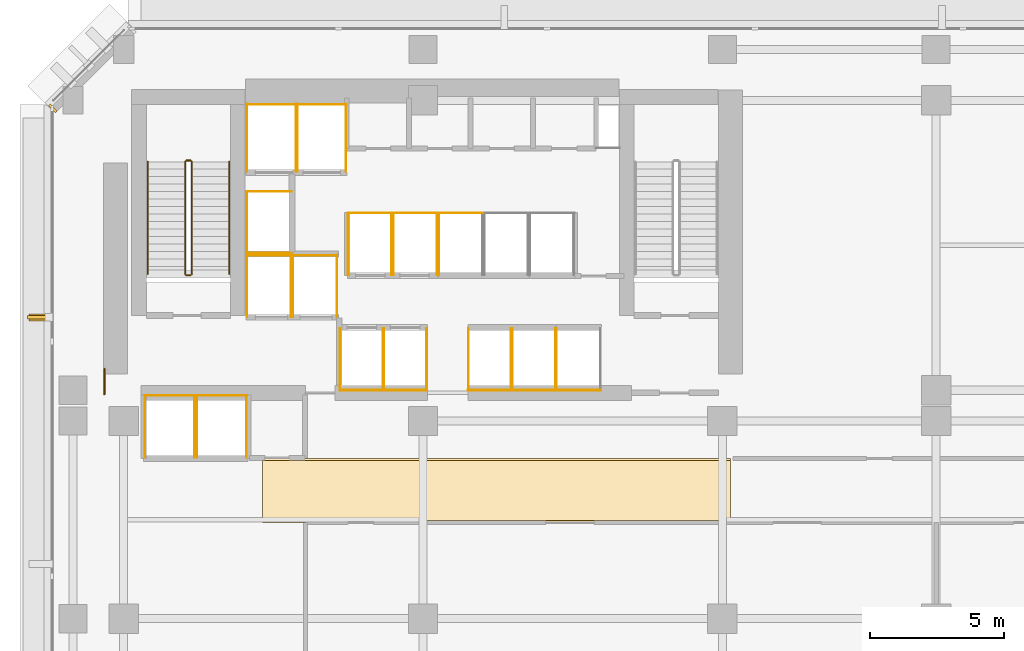
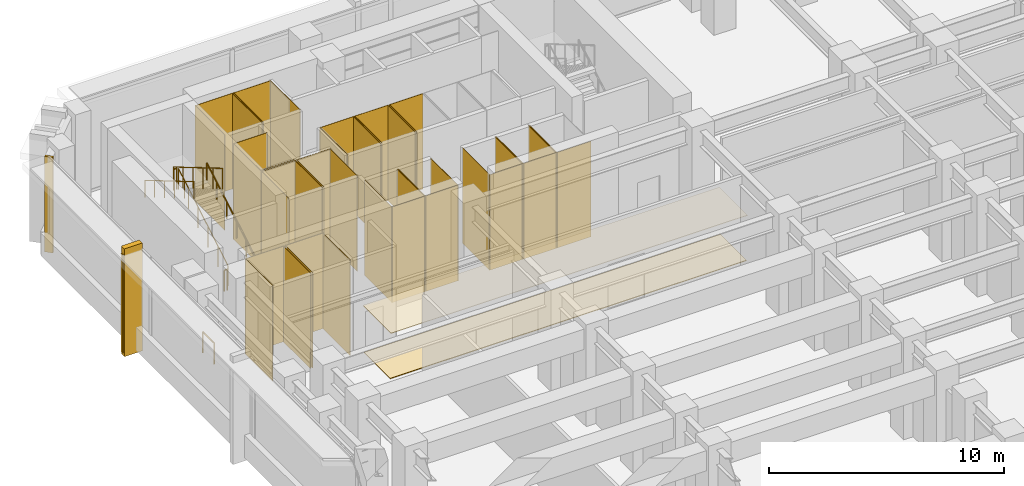
# One storey, part 17 of 20: 47 coverings, 7 railings, 1 shading device.
"""IFC4 building model written with IfcOpenShell, lengths in metres."""

from ifc_helpers import new_model, si_unit, direction, frame, origin, origin_2d, place, context, subcontext, project, spatial, polyline, rectangle, circle, outline, extrude, material, layer, layer_set, material_profile, profile_set, type_object, element, save


model = new_model("IFC4")

# Units and contexts
model_context = context("Model", 3, precision=1e-05, world=origin(), true_north=direction((0.0, 1.0)))
body_context = subcontext(model_context, "Body", "Model", "MODEL_VIEW")
ifc_project = project(units=[si_unit("LENGTHUNIT", "METRE"), si_unit("AREAUNIT", "SQUARE_METRE"), si_unit("VOLUMEUNIT", "CUBIC_METRE"), si_unit("PLANEANGLEUNIT", "RADIAN"), si_unit("MASSUNIT", "GRAM", prefix="KILO")], contexts=[model_context])

# Site, building, storey
site_placement = place(None, origin())
site = spatial("IfcSite", under=ifc_project, at=site_placement, CompositionType="ELEMENT")
building_placement = place(site_placement, origin())
building = spatial("IfcBuilding", under=site, at=building_placement, Name="Kefirva Bronze Tower", CompositionType="ELEMENT")
storey_placement = place(building_placement, frame((0.0, 0.0, 5.93994140625)))
storey = spatial("IfcBuildingStorey", under=building, at=storey_placement, Name="L01", CompositionType="ELEMENT", Elevation=5.93994140625)

# Coverings
ifc_material_1 = material(Name="Acoustic mineral tile")
ifc_layer_1 = layer(ifc_material_1, 0.02490234375, Name="Acoustic mineral tile")
ifc_layer_set_1 = layer_set([ifc_layer_1], Name="Acoustic mineral tile")
covering_type_1 = type_object("IfcCoveringType", Name="Acoustic Mineral Suspended Ceiling 25mm", PredefinedType="CEILING", material=ifc_layer_set_1)
covering_1_placement = place(storey_placement, frame((0.0, 0.0, 2.400146484375)))
element("IfcCovering", 1, at=covering_1_placement, inside=storey, type_object=covering_type_1, Name="L01 Corridor Acoustic Ceiling", PredefinedType="CEILING", context=body_context, shape_type="SweptSolid", body=[
    extrude(outline(polyline([(6.0, 29.39990234375), (23.5, 29.39990234375), (23.5, 31.800048828125), (6.0, 31.800048828125), (6.0, 29.39990234375)])), origin(), (0.0, 0.0, 1.0), 0.02490234375),
])
ifc_material_2 = material(Name="Bronze anodised aluminium", Category="aluminium")
ifc_layer_2 = layer(ifc_material_2, 0.02001953125, Name="Bronze anodised aluminium")
ifc_layer_set_2 = layer_set([ifc_layer_2], Name="Bronze anodised aluminium")
covering_type_2 = type_object("IfcCoveringType", Name="Anodised Bronze Spandrel Cladding 20mm", PredefinedType="CLADDING", material=ifc_layer_set_2)
covering_2_placement = place(storey_placement, frame((-1.847900390625, 44.8974609375, 0.0), z_axis=(0.0, 0.0, 1.0), x_axis=(-0.707106781187, -0.707106781187, 0.0)))
element("IfcCovering", 2, at=covering_2_placement, inside=storey, type_object=covering_type_2, Name="L01 Facade Joint Closure Panel 6E", PredefinedType="CLADDING", context=body_context, shape_type="SweptSolid", body=[
    extrude(rectangle(XDim=0.10009765625, YDim=0.360107421875, at=origin_2d()), origin(), (0.0, 0.0, 1.0), 4.9599609375),
])
covering_3_placement = place(storey_placement, origin())
element("IfcCovering", 3, at=covering_3_placement, inside=storey, type_object=covering_type_2, Name="L01 Lift FF1 Hoistway Liner N", PredefinedType="CLADDING", context=body_context, shape_type="SweptSolid", body=[
    extrude(outline(polyline([(5.39990234375, 39.389892578125), (7.080078125, 39.389892578125), (7.080078125, 39.409912109375), (5.39990234375, 39.409912109375), (5.39990234375, 39.389892578125)])), origin(), (0.0, 0.0, 1.0), 4.9599609375),
])
covering_4_placement = place(storey_placement, origin())
element("IfcCovering", 4, at=covering_4_placement, inside=storey, type_object=covering_type_2, Name="L01 Lift FF1 Hoistway Liner W", PredefinedType="CLADDING", context=body_context, shape_type="SweptSolid", body=[
    extrude(outline(polyline([(5.409912109375, 37.080078125), (5.429931640625, 37.080078125), (5.429931640625, 39.419921875), (5.409912109375, 39.419921875), (5.409912109375, 37.080078125)])), origin(), (0.0, 0.0, 1.0), 4.9599609375),
])
covering_5_placement = place(storey_placement, origin())
element("IfcCovering", 5, at=covering_5_placement, inside=storey, type_object=covering_type_2, Name="L01 Lift FF1 Hoistway Liner E", PredefinedType="CLADDING", context=body_context, shape_type="SweptSolid", body=[
    extrude(outline(polyline([(7.050048828125, 37.080078125), (7.070068359375, 37.080078125), (7.070068359375, 39.419921875), (7.050048828125, 39.419921875), (7.050048828125, 37.080078125)])), origin(), (0.0, 0.0, 1.0), 4.9599609375),
])
covering_6_placement = place(storey_placement, origin())
element("IfcCovering", 6, at=covering_6_placement, inside=storey, type_object=covering_type_2, Name="L01 Lift FF2 Hoistway Liner N", PredefinedType="CLADDING", context=body_context, shape_type="SweptSolid", body=[
    extrude(outline(polyline([(7.1201171875, 39.389892578125), (8.800048828125, 39.389892578125), (8.800048828125, 39.409912109375), (7.1201171875, 39.409912109375), (7.1201171875, 39.389892578125)])), origin(), (0.0, 0.0, 1.0), 4.9599609375),
])
covering_7_placement = place(storey_placement, origin())
element("IfcCovering", 7, at=covering_7_placement, inside=storey, type_object=covering_type_2, Name="L01 Lift FF2 Hoistway Liner W", PredefinedType="CLADDING", context=body_context, shape_type="SweptSolid", body=[
    extrude(outline(polyline([(7.1298828125, 37.080078125), (7.14990234375, 37.080078125), (7.14990234375, 39.419921875), (7.1298828125, 39.419921875), (7.1298828125, 37.080078125)])), origin(), (0.0, 0.0, 1.0), 4.9599609375),
])
covering_8_placement = place(storey_placement, origin())
element("IfcCovering", 8, at=covering_8_placement, inside=storey, type_object=covering_type_2, Name="L01 Lift FF2 Hoistway Liner E", PredefinedType="CLADDING", context=body_context, shape_type="SweptSolid", body=[
    extrude(outline(polyline([(8.77001953125, 37.080078125), (8.7900390625, 37.080078125), (8.7900390625, 39.419921875), (8.77001953125, 39.419921875), (8.77001953125, 37.080078125)])), origin(), (0.0, 0.0, 1.0), 4.9599609375),
])
covering_9_placement = place(storey_placement, origin())
element("IfcCovering", 9, at=covering_9_placement, inside=storey, type_object=covering_type_2, Name="L01 Lift SV1 Hoistway Liner N", PredefinedType="CLADDING", context=body_context, shape_type="SweptSolid", body=[
    extrude(outline(polyline([(5.39990234375, 45.0400390625), (7.260009765625, 45.0400390625), (7.260009765625, 45.06005859375), (5.39990234375, 45.06005859375), (5.39990234375, 45.0400390625)])), origin(), (0.0, 0.0, 1.0), 4.9599609375),
])
covering_10_placement = place(storey_placement, origin())
element("IfcCovering", 10, at=covering_10_placement, inside=storey, type_object=covering_type_2, Name="L01 Lift SV1 Hoistway Liner W", PredefinedType="CLADDING", context=body_context, shape_type="SweptSolid", body=[
    extrude(outline(polyline([(5.409912109375, 42.530029296875), (5.429931640625, 42.530029296875), (5.429931640625, 45.070068359375), (5.409912109375, 45.070068359375), (5.409912109375, 42.530029296875)])), origin(), (0.0, 0.0, 1.0), 4.9599609375),
])
covering_11_placement = place(storey_placement, origin())
element("IfcCovering", 11, at=covering_11_placement, inside=storey, type_object=covering_type_2, Name="L01 Lift SV1 Hoistway Liner E", PredefinedType="CLADDING", context=body_context, shape_type="SweptSolid", body=[
    extrude(outline(polyline([(7.22998046875, 42.530029296875), (7.25, 42.530029296875), (7.25, 45.070068359375), (7.22998046875, 45.070068359375), (7.22998046875, 42.530029296875)])), origin(), (0.0, 0.0, 1.0), 4.9599609375),
])
covering_12_placement = place(storey_placement, origin())
element("IfcCovering", 12, at=covering_12_placement, inside=storey, type_object=covering_type_2, Name="L01 Lift SV2 Hoistway Liner N", PredefinedType="CLADDING", context=body_context, shape_type="SweptSolid", body=[
    extrude(outline(polyline([(7.280029296875, 45.0400390625), (9.139892578125, 45.0400390625), (9.139892578125, 45.06005859375), (7.280029296875, 45.06005859375), (7.280029296875, 45.0400390625)])), origin(), (0.0, 0.0, 1.0), 4.9599609375),
])
covering_13_placement = place(storey_placement, origin())
element("IfcCovering", 13, at=covering_13_placement, inside=storey, type_object=covering_type_2, Name="L01 Lift SV2 Hoistway Liner W", PredefinedType="CLADDING", context=body_context, shape_type="SweptSolid", body=[
    extrude(outline(polyline([(7.2900390625, 42.530029296875), (7.31005859375, 42.530029296875), (7.31005859375, 45.070068359375), (7.2900390625, 45.070068359375), (7.2900390625, 42.530029296875)])), origin(), (0.0, 0.0, 1.0), 4.9599609375),
])
covering_14_placement = place(storey_placement, origin())
element("IfcCovering", 14, at=covering_14_placement, inside=storey, type_object=covering_type_2, Name="L01 Lift SV2 Hoistway Liner E", PredefinedType="CLADDING", context=body_context, shape_type="SweptSolid", body=[
    extrude(outline(polyline([(9.110107421875, 42.530029296875), (9.1298828125, 42.530029296875), (9.1298828125, 45.070068359375), (9.110107421875, 45.070068359375), (9.110107421875, 42.530029296875)])), origin(), (0.0, 0.0, 1.0), 4.9599609375),
])
covering_15_placement = place(storey_placement, origin())
element("IfcCovering", 15, at=covering_15_placement, inside=storey, type_object=covering_type_2, Name="L01 Lift OB1 Hoistway Liner N", PredefinedType="CLADDING", context=body_context, shape_type="SweptSolid", body=[
    extrude(outline(polyline([(1.580078125, 34.139892578125), (3.469970703125, 34.139892578125), (3.469970703125, 34.159912109375), (1.580078125, 34.159912109375), (1.580078125, 34.139892578125)])), origin(), (0.0, 0.0, 1.0), 4.9599609375),
])
covering_16_placement = place(storey_placement, origin())
element("IfcCovering", 16, at=covering_16_placement, inside=storey, type_object=covering_type_2, Name="L01 Lift OB1 Hoistway Liner W", PredefinedType="CLADDING", context=body_context, shape_type="SweptSolid", body=[
    extrude(outline(polyline([(1.590087890625, 31.830078125), (1.610107421875, 31.830078125), (1.610107421875, 34.169921875), (1.590087890625, 34.169921875), (1.590087890625, 31.830078125)])), origin(), (0.0, 0.0, 1.0), 4.9599609375),
])
covering_17_placement = place(storey_placement, origin())
element("IfcCovering", 17, at=covering_17_placement, inside=storey, type_object=covering_type_2, Name="L01 Lift OB1 Hoistway Liner E", PredefinedType="CLADDING", context=body_context, shape_type="SweptSolid", body=[
    extrude(outline(polyline([(3.43994140625, 31.830078125), (3.4599609375, 31.830078125), (3.4599609375, 34.169921875), (3.43994140625, 34.169921875), (3.43994140625, 31.830078125)])), origin(), (0.0, 0.0, 1.0), 4.9599609375),
])
covering_18_placement = place(storey_placement, origin())
element("IfcCovering", 18, at=covering_18_placement, inside=storey, type_object=covering_type_2, Name="L01 Lift OB2 Hoistway Liner N", PredefinedType="CLADDING", context=body_context, shape_type="SweptSolid", body=[
    extrude(outline(polyline([(3.530029296875, 34.139892578125), (5.419921875, 34.139892578125), (5.419921875, 34.159912109375), (3.530029296875, 34.159912109375), (3.530029296875, 34.139892578125)])), origin(), (0.0, 0.0, 1.0), 4.9599609375),
])
covering_19_placement = place(storey_placement, origin())
element("IfcCovering", 19, at=covering_19_placement, inside=storey, type_object=covering_type_2, Name="L01 Lift OB2 Hoistway Liner W", PredefinedType="CLADDING", context=body_context, shape_type="SweptSolid", body=[
    extrude(outline(polyline([(3.5400390625, 31.830078125), (3.56005859375, 31.830078125), (3.56005859375, 34.169921875), (3.5400390625, 34.169921875), (3.5400390625, 31.830078125)])), origin(), (0.0, 0.0, 1.0), 4.9599609375),
])
covering_20_placement = place(storey_placement, origin())
element("IfcCovering", 20, at=covering_20_placement, inside=storey, type_object=covering_type_2, Name="L01 Lift OB2 Hoistway Liner E", PredefinedType="CLADDING", context=body_context, shape_type="SweptSolid", body=[
    extrude(outline(polyline([(5.389892578125, 31.830078125), (5.409912109375, 31.830078125), (5.409912109375, 34.169921875), (5.389892578125, 34.169921875), (5.389892578125, 31.830078125)])), origin(), (0.0, 0.0, 1.0), 4.9599609375),
])
covering_21_placement = place(storey_placement, origin())
element("IfcCovering", 21, at=covering_21_placement, inside=storey, type_object=covering_type_2, Name="L01 Lift LP1 Hoistway Liner S", PredefinedType="CLADDING", context=body_context, shape_type="SweptSolid", body=[
    extrude(outline(polyline([(8.8798828125, 34.340087890625), (10.52001953125, 34.340087890625), (10.52001953125, 34.360107421875), (8.8798828125, 34.360107421875), (8.8798828125, 34.340087890625)])), origin(), (0.0, 0.0, 1.0), 4.9599609375),
])
covering_22_placement = place(storey_placement, origin())
element("IfcCovering", 22, at=covering_22_placement, inside=storey, type_object=covering_type_2, Name="L01 Lift LP1 Hoistway Liner W", PredefinedType="CLADDING", context=body_context, shape_type="SweptSolid", body=[
    extrude(outline(polyline([(8.889892578125, 34.330078125), (8.909912109375, 34.330078125), (8.909912109375, 36.669921875), (8.889892578125, 36.669921875), (8.889892578125, 34.330078125)])), origin(), (0.0, 0.0, 1.0), 4.9599609375),
])
covering_23_placement = place(storey_placement, origin())
element("IfcCovering", 23, at=covering_23_placement, inside=storey, type_object=covering_type_2, Name="L01 Lift LP1 Hoistway Liner E", PredefinedType="CLADDING", context=body_context, shape_type="SweptSolid", body=[
    extrude(outline(polyline([(10.489990234375, 34.330078125), (10.510009765625, 34.330078125), (10.510009765625, 36.669921875), (10.489990234375, 36.669921875), (10.489990234375, 34.330078125)])), origin(), (0.0, 0.0, 1.0), 4.9599609375),
])
covering_24_placement = place(storey_placement, origin())
element("IfcCovering", 24, at=covering_24_placement, inside=storey, type_object=covering_type_2, Name="L01 Lift LP2 Hoistway Liner S", PredefinedType="CLADDING", context=body_context, shape_type="SweptSolid", body=[
    extrude(outline(polyline([(10.52001953125, 34.340087890625), (12.159912109375, 34.340087890625), (12.159912109375, 34.360107421875), (10.52001953125, 34.360107421875), (10.52001953125, 34.340087890625)])), origin(), (0.0, 0.0, 1.0), 4.9599609375),
])
covering_25_placement = place(storey_placement, origin())
element("IfcCovering", 25, at=covering_25_placement, inside=storey, type_object=covering_type_2, Name="L01 Lift LP2 Hoistway Liner W", PredefinedType="CLADDING", context=body_context, shape_type="SweptSolid", body=[
    extrude(outline(polyline([(10.530029296875, 34.330078125), (10.550048828125, 34.330078125), (10.550048828125, 36.669921875), (10.530029296875, 36.669921875), (10.530029296875, 34.330078125)])), origin(), (0.0, 0.0, 1.0), 4.9599609375),
])
covering_26_placement = place(storey_placement, origin())
element("IfcCovering", 26, at=covering_26_placement, inside=storey, type_object=covering_type_2, Name="L01 Lift LP2 Hoistway Liner E", PredefinedType="CLADDING", context=body_context, shape_type="SweptSolid", body=[
    extrude(outline(polyline([(12.1298828125, 34.330078125), (12.14990234375, 34.330078125), (12.14990234375, 36.669921875), (12.1298828125, 36.669921875), (12.1298828125, 34.330078125)])), origin(), (0.0, 0.0, 1.0), 4.9599609375),
])
covering_27_placement = place(storey_placement, origin())
element("IfcCovering", 27, at=covering_27_placement, inside=storey, type_object=covering_type_2, Name="L01 Lift LP3 Hoistway Liner N", PredefinedType="CLADDING", context=body_context, shape_type="SweptSolid", body=[
    extrude(outline(polyline([(9.179931640625, 40.969970703125), (10.85009765625, 40.969970703125), (10.85009765625, 40.989990234375), (9.179931640625, 40.989990234375), (9.179931640625, 40.969970703125)])), origin(), (0.0, 0.0, 1.0), 4.9599609375),
])
covering_28_placement = place(storey_placement, origin())
element("IfcCovering", 28, at=covering_28_placement, inside=storey, type_object=covering_type_2, Name="L01 Lift LP3 Hoistway Liner W", PredefinedType="CLADDING", context=body_context, shape_type="SweptSolid", body=[
    extrude(outline(polyline([(9.18994140625, 38.659912109375), (9.2099609375, 38.659912109375), (9.2099609375, 41.0), (9.18994140625, 41.0), (9.18994140625, 38.659912109375)])), origin(), (0.0, 0.0, 1.0), 4.9599609375),
])
covering_29_placement = place(storey_placement, origin())
element("IfcCovering", 29, at=covering_29_placement, inside=storey, type_object=covering_type_2, Name="L01 Lift LP3 Hoistway Liner E", PredefinedType="CLADDING", context=body_context, shape_type="SweptSolid", body=[
    extrude(outline(polyline([(10.820068359375, 38.659912109375), (10.840087890625, 38.659912109375), (10.840087890625, 41.0), (10.820068359375, 41.0), (10.820068359375, 38.659912109375)])), origin(), (0.0, 0.0, 1.0), 4.9599609375),
])
covering_30_placement = place(storey_placement, origin())
element("IfcCovering", 30, at=covering_30_placement, inside=storey, type_object=covering_type_2, Name="L01 Lift LP4 Hoistway Liner N", PredefinedType="CLADDING", context=body_context, shape_type="SweptSolid", body=[
    extrude(outline(polyline([(10.8798828125, 40.969970703125), (12.550048828125, 40.969970703125), (12.550048828125, 40.989990234375), (10.8798828125, 40.989990234375), (10.8798828125, 40.969970703125)])), origin(), (0.0, 0.0, 1.0), 4.9599609375),
])
covering_31_placement = place(storey_placement, origin())
element("IfcCovering", 31, at=covering_31_placement, inside=storey, type_object=covering_type_2, Name="L01 Lift LP4 Hoistway Liner W", PredefinedType="CLADDING", context=body_context, shape_type="SweptSolid", body=[
    extrude(outline(polyline([(10.889892578125, 38.659912109375), (10.909912109375, 38.659912109375), (10.909912109375, 41.0), (10.889892578125, 41.0), (10.889892578125, 38.659912109375)])), origin(), (0.0, 0.0, 1.0), 4.9599609375),
])
covering_32_placement = place(storey_placement, origin())
element("IfcCovering", 32, at=covering_32_placement, inside=storey, type_object=covering_type_2, Name="L01 Lift LP4 Hoistway Liner E", PredefinedType="CLADDING", context=body_context, shape_type="SweptSolid", body=[
    extrude(outline(polyline([(12.52001953125, 38.659912109375), (12.5400390625, 38.659912109375), (12.5400390625, 41.0), (12.52001953125, 41.0), (12.52001953125, 38.659912109375)])), origin(), (0.0, 0.0, 1.0), 4.9599609375),
])
covering_33_placement = place(storey_placement, origin())
element("IfcCovering", 33, at=covering_33_placement, inside=storey, type_object=covering_type_2, Name="L01 Lift MP1 Hoistway Liner S", PredefinedType="CLADDING", context=body_context, shape_type="SweptSolid", body=[
    extrude(outline(polyline([(13.679931640625, 34.340087890625), (15.320068359375, 34.340087890625), (15.320068359375, 34.360107421875), (13.679931640625, 34.360107421875), (13.679931640625, 34.340087890625)])), origin(), (0.0, 0.0, 1.0), 4.9599609375),
])
covering_34_placement = place(storey_placement, origin())
element("IfcCovering", 34, at=covering_34_placement, inside=storey, type_object=covering_type_2, Name="L01 Lift MP1 Hoistway Liner W", PredefinedType="CLADDING", context=body_context, shape_type="SweptSolid", body=[
    extrude(outline(polyline([(13.68994140625, 34.330078125), (13.7099609375, 34.330078125), (13.7099609375, 36.669921875), (13.68994140625, 36.669921875), (13.68994140625, 34.330078125)])), origin(), (0.0, 0.0, 1.0), 4.9599609375),
])
covering_35_placement = place(storey_placement, origin())
element("IfcCovering", 35, at=covering_35_placement, inside=storey, type_object=covering_type_2, Name="L01 Lift MP1 Hoistway Liner E", PredefinedType="CLADDING", context=body_context, shape_type="SweptSolid", body=[
    extrude(outline(polyline([(15.2900390625, 34.330078125), (15.31005859375, 34.330078125), (15.31005859375, 36.669921875), (15.2900390625, 36.669921875), (15.2900390625, 34.330078125)])), origin(), (0.0, 0.0, 1.0), 4.9599609375),
])
covering_36_placement = place(storey_placement, origin())
element("IfcCovering", 36, at=covering_36_placement, inside=storey, type_object=covering_type_2, Name="L01 Lift MP2 Hoistway Liner S", PredefinedType="CLADDING", context=body_context, shape_type="SweptSolid", body=[
    extrude(outline(polyline([(15.330078125, 34.340087890625), (16.969970703125, 34.340087890625), (16.969970703125, 34.360107421875), (15.330078125, 34.360107421875), (15.330078125, 34.340087890625)])), origin(), (0.0, 0.0, 1.0), 4.9599609375),
])
covering_37_placement = place(storey_placement, origin())
element("IfcCovering", 37, at=covering_37_placement, inside=storey, type_object=covering_type_2, Name="L01 Lift MP2 Hoistway Liner W", PredefinedType="CLADDING", context=body_context, shape_type="SweptSolid", body=[
    extrude(outline(polyline([(15.340087890625, 34.330078125), (15.360107421875, 34.330078125), (15.360107421875, 36.669921875), (15.340087890625, 36.669921875), (15.340087890625, 34.330078125)])), origin(), (0.0, 0.0, 1.0), 4.9599609375),
])
covering_38_placement = place(storey_placement, origin())
element("IfcCovering", 38, at=covering_38_placement, inside=storey, type_object=covering_type_2, Name="L01 Lift MP2 Hoistway Liner E", PredefinedType="CLADDING", context=body_context, shape_type="SweptSolid", body=[
    extrude(outline(polyline([(16.93994140625, 34.330078125), (16.9599609375, 34.330078125), (16.9599609375, 36.669921875), (16.93994140625, 36.669921875), (16.93994140625, 34.330078125)])), origin(), (0.0, 0.0, 1.0), 4.9599609375),
])
covering_39_placement = place(storey_placement, origin())
element("IfcCovering", 39, at=covering_39_placement, inside=storey, type_object=covering_type_2, Name="L01 Lift MP3 Hoistway Liner N", PredefinedType="CLADDING", context=body_context, shape_type="SweptSolid", body=[
    extrude(outline(polyline([(12.580078125, 40.969970703125), (14.25, 40.969970703125), (14.25, 40.989990234375), (12.580078125, 40.989990234375), (12.580078125, 40.969970703125)])), origin(), (0.0, 0.0, 1.0), 4.9599609375),
])
covering_40_placement = place(storey_placement, origin())
element("IfcCovering", 40, at=covering_40_placement, inside=storey, type_object=covering_type_2, Name="L01 Lift MP3 Hoistway Liner W", PredefinedType="CLADDING", context=body_context, shape_type="SweptSolid", body=[
    extrude(outline(polyline([(12.590087890625, 38.659912109375), (12.610107421875, 38.659912109375), (12.610107421875, 41.0), (12.590087890625, 41.0), (12.590087890625, 38.659912109375)])), origin(), (0.0, 0.0, 1.0), 4.9599609375),
])
covering_41_placement = place(storey_placement, origin())
element("IfcCovering", 41, at=covering_41_placement, inside=storey, type_object=covering_type_2, Name="L01 Lift HP1 Hoistway Liner S", PredefinedType="CLADDING", context=body_context, shape_type="SweptSolid", body=[
    extrude(outline(polyline([(16.97998046875, 34.340087890625), (18.669921875, 34.340087890625), (18.669921875, 34.360107421875), (16.97998046875, 34.360107421875), (16.97998046875, 34.340087890625)])), origin(), (0.0, 0.0, 1.0), 4.9599609375),
])
covering_42_placement = place(storey_placement, origin())
element("IfcCovering", 42, at=covering_42_placement, inside=storey, type_object=covering_type_2, Name="L01 Lift HP1 Hoistway Liner W", PredefinedType="CLADDING", context=body_context, shape_type="SweptSolid", body=[
    extrude(outline(polyline([(16.989990234375, 34.330078125), (17.010009765625, 34.330078125), (17.010009765625, 36.669921875), (16.989990234375, 36.669921875), (16.989990234375, 34.330078125)])), origin(), (0.0, 0.0, 1.0), 4.9599609375),
])
covering_43_placement = place(storey_placement, origin())
element("IfcCovering", 43, at=covering_43_placement, inside=storey, type_object=covering_type_2, Name="L01 Lift HP3 Hoistway Liner N", PredefinedType="CLADDING", context=body_context, shape_type="SweptSolid", body=[
    extrude(outline(polyline([(5.39990234375, 41.77001953125), (7.080078125, 41.77001953125), (7.080078125, 41.7900390625), (5.39990234375, 41.7900390625), (5.39990234375, 41.77001953125)])), origin(), (0.0, 0.0, 1.0), 4.9599609375),
])
covering_44_placement = place(storey_placement, origin())
element("IfcCovering", 44, at=covering_44_placement, inside=storey, type_object=covering_type_2, Name="L01 Lift HP3 Hoistway Liner S", PredefinedType="CLADDING", context=body_context, shape_type="SweptSolid", body=[
    extrude(outline(polyline([(5.39990234375, 39.469970703125), (7.080078125, 39.469970703125), (7.080078125, 39.489990234375), (5.39990234375, 39.489990234375), (5.39990234375, 39.469970703125)])), origin(), (0.0, 0.0, 1.0), 4.9599609375),
])
covering_45_placement = place(storey_placement, origin())
element("IfcCovering", 45, at=covering_45_placement, inside=storey, type_object=covering_type_2, Name="L01 Lift HP3 Hoistway Liner W", PredefinedType="CLADDING", context=body_context, shape_type="SweptSolid", body=[
    extrude(outline(polyline([(5.409912109375, 39.4599609375), (5.429931640625, 39.4599609375), (5.429931640625, 41.800048828125), (5.409912109375, 41.800048828125), (5.409912109375, 39.4599609375)])), origin(), (0.0, 0.0, 1.0), 4.9599609375),
])
ifc_material_3 = material(Name="Honed basalt stone paver", Category="masonry")
ifc_layer_3 = layer(ifc_material_3, 0.034912109375, Name="Honed basalt stone paver")
ifc_layer_set_3 = layer_set([ifc_layer_3], Name="Honed basalt stone paver")
covering_type_3 = type_object("IfcCoveringType", Name="Honed Basalt Concourse Flooring 35mm", PredefinedType="FLOORING", material=ifc_layer_set_3)
covering_46_placement = place(storey_placement, origin())
element("IfcCovering", 46, at=covering_46_placement, inside=storey, type_object=covering_type_3, Name="L01 Architectural Finish Flooring", PredefinedType="FLOORING", context=body_context, shape_type="SweptSolid", body=[
    extrude(outline(polyline([(6.0, 29.47998046875), (23.5, 29.47998046875), (23.5, 31.719970703125), (6.0, 31.719970703125), (6.0, 29.47998046875)])), origin(), (0.0, 0.0, 1.0), 0.03515625),
])

# Railings
ifc_material_4 = material(Name="Stainless steel 316", Category="steel")
railing_type_1 = type_object("IfcRailingType", Name="Interior Stair Guardrail 1100mm", PredefinedType="GUARDRAIL", material=ifc_material_4)
railing_1_placement = place(storey_placement, frame((3.35009765625, 38.699951171875, 0.1650390625)))
element("IfcRailing", 47, at=railing_1_placement, inside=storey, type_object=railing_type_1, Name="L01 ST-1 stair guard 1", PredefinedType="GUARDRAIL", context=body_context, shape_type="SweptSolid", body=[
    extrude(circle(Radius=0.02392578125, at=origin_2d()), frame((0.0, 0.0, 1.076171875), z_axis=(0.0, 0.861527117747, 0.50771155727), x_axis=(-1.0, 0.0, 0.0)), (0.0, 0.0, 1.0), 4.875),
    extrude(circle(Radius=0.02099609375, at=origin_2d()), origin(), (0.0, 0.0, 1.0), 1.052001953125),
    extrude(circle(Radius=0.02099609375, at=origin_2d()), frame((0.0, 0.840087890625, 0.4951171875)), (0.0, 0.0, 1.0), 1.052001953125),
    extrude(circle(Radius=0.02099609375, at=origin_2d()), frame((0.0, 1.679931640625, 0.989990234375)), (0.0, 0.0, 1.0), 1.052001953125),
    extrude(circle(Radius=0.02099609375, at=origin_2d()), frame((0.0, 2.52001953125, 1.485107421875)), (0.0, 0.0, 1.0), 1.052001953125),
    extrude(circle(Radius=0.02099609375, at=origin_2d()), frame((0.0, 3.35986328125, 1.97998046875)), (0.0, 0.0, 1.0), 1.052001953125),
    extrude(circle(Radius=0.02099609375, at=origin_2d()), frame((0.0, 4.199951171875, 2.47509765625)), (0.0, 0.0, 1.0), 1.052001953125),
])
railing_2_placement = place(storey_placement, frame((3.300048828125, 42.949951171875, 2.64013671875)))
element("IfcRailing", 48, at=railing_2_placement, inside=storey, type_object=railing_type_1, Name="L01 ST-1 stair guard 2", PredefinedType="GUARDRAIL", context=body_context, shape_type="SweptSolid", body=[
    extrude(circle(Radius=0.02392578125, at=origin_2d()), frame((0.0, 0.0, 1.076171875), z_axis=(-1.0, 0.0, 0.0), x_axis=(0.0, -1.0, 0.0)), (0.0, 0.0, 1.0), 0.150146484375),
    extrude(circle(Radius=0.02099609375, at=origin_2d()), origin(), (0.0, 0.0, 1.0), 1.052001953125),
    extrude(circle(Radius=0.02099609375, at=origin_2d()), frame((-0.150146484375, 0.0, 0.0)), (0.0, 0.0, 1.0), 1.052001953125),
])
railing_3_placement = place(storey_placement, frame((3.10009765625, 42.89990234375, 2.80517578125)))
element("IfcRailing", 49, at=railing_3_placement, inside=storey, type_object=railing_type_1, Name="L01 ST-1 stair guard 3", PredefinedType="GUARDRAIL", context=body_context, shape_type="SweptSolid", body=[
    extrude(circle(Radius=0.02392578125, at=origin_2d()), frame((0.0, 0.0, 1.076171875), z_axis=(0.0, -0.861549022881, 0.507674384988), x_axis=(1.0, 0.0, 0.0)), (0.0, 0.0, 1.0), 4.875),
    extrude(circle(Radius=0.02099609375, at=origin_2d()), origin(), (0.0, 0.0, 1.0), 1.052001953125),
    extrude(circle(Radius=0.02099609375, at=origin_2d()), frame((0.0, -0.840087890625, 0.494873046875)), (0.0, 0.0, 1.0), 1.052001953125),
    extrude(circle(Radius=0.02099609375, at=origin_2d()), frame((0.0, -1.679931640625, 0.989990234375)), (0.0, 0.0, 1.0), 1.052001953125),
    extrude(circle(Radius=0.02099609375, at=origin_2d()), frame((0.0, -2.52001953125, 1.48486328125)), (0.0, 0.0, 1.0), 1.052001953125),
    extrude(circle(Radius=0.02099609375, at=origin_2d()), frame((0.0, -3.35986328125, 1.97998046875)), (0.0, 0.0, 1.0), 1.052001953125),
    extrude(circle(Radius=0.02099609375, at=origin_2d()), frame((0.0, -4.199951171875, 2.474853515625)), (0.0, 0.0, 1.0), 1.052001953125),
])
railing_4_placement = place(storey_placement, frame((3.300048828125, 38.64990234375, 0.0)))
element("IfcRailing", 50, at=railing_4_placement, inside=storey, type_object=railing_type_1, Name="L01 ST-1 stair guard 4", PredefinedType="GUARDRAIL", context=body_context, shape_type="SweptSolid", body=[
    extrude(circle(Radius=0.02392578125, at=origin_2d()), frame((0.0, 0.0, 1.076171875), z_axis=(-1.0, 0.0, 0.0), x_axis=(0.0, -1.0, 0.0)), (0.0, 0.0, 1.0), 0.150146484375),
    extrude(circle(Radius=0.02099609375, at=origin_2d()), origin(), (0.0, 0.0, 1.0), 1.052001953125),
    extrude(circle(Radius=0.02099609375, at=origin_2d()), frame((-0.150146484375, 0.0, 0.0)), (0.0, 0.0, 1.0), 1.052001953125),
])
railing_5_placement = place(storey_placement, frame((0.080078125, 34.199951171875, 0.0)))
element("IfcRailing", 51, at=railing_5_placement, inside=storey, type_object=railing_type_1, Name="L01 West Core Junction Guardrail", PredefinedType="GUARDRAIL", context=body_context, shape_type="SweptSolid", body=[
    extrude(circle(Radius=0.02392578125, at=origin_2d()), frame((0.0, 0.0, 1.076171875), z_axis=(0.0, 1.0, 0.0), x_axis=(-1.0, 0.0, 0.0)), (0.0, 0.0, 1.0), 0.949951171875),
    extrude(circle(Radius=0.02099609375, at=origin_2d()), origin(), (0.0, 0.0, 1.0), 1.052001953125),
    extrude(circle(Radius=0.02099609375, at=origin_2d()), frame((0.0, 0.949951171875, 0.0)), (0.0, 0.0, 1.0), 1.052001953125),
])
railing_type_2 = type_object("IfcRailingType", Name="Stair Pitch Handrail 900mm", PredefinedType="HANDRAIL", material=ifc_material_4)
railing_6_placement = place(storey_placement, frame((4.75, 38.699951171875, 0.1650390625)))
element("IfcRailing", 52, at=railing_6_placement, inside=storey, type_object=railing_type_2, Name="L01 ST-1 stair handrail 1", PredefinedType="HANDRAIL", context=body_context, shape_type="SweptSolid", body=[
    extrude(circle(Radius=0.02392578125, at=origin_2d()), frame((0.0, 0.0, 0.8759765625), z_axis=(0.0, 0.861527117747, 0.50771155727), x_axis=(-1.0, 0.0, 0.0)), (0.0, 0.0, 1.0), 4.875),
    extrude(circle(Radius=0.02099609375, at=origin_2d()), origin(), (0.0, 0.0, 1.0), 0.851806640625),
    extrude(circle(Radius=0.02099609375, at=origin_2d()), frame((0.0, 0.840087890625, 0.4951171875)), (0.0, 0.0, 1.0), 0.851806640625),
    extrude(circle(Radius=0.02099609375, at=origin_2d()), frame((0.0, 1.679931640625, 0.989990234375)), (0.0, 0.0, 1.0), 0.851806640625),
    extrude(circle(Radius=0.02099609375, at=origin_2d()), frame((0.0, 2.52001953125, 1.485107421875)), (0.0, 0.0, 1.0), 0.851806640625),
    extrude(circle(Radius=0.02099609375, at=origin_2d()), frame((0.0, 3.35986328125, 1.97998046875)), (0.0, 0.0, 1.0), 0.851806640625),
    extrude(circle(Radius=0.02099609375, at=origin_2d()), frame((0.0, 4.199951171875, 2.47509765625)), (0.0, 0.0, 1.0), 0.851806640625),
])
railing_7_placement = place(storey_placement, frame((1.699951171875, 42.89990234375, 2.80517578125)))
element("IfcRailing", 53, at=railing_7_placement, inside=storey, type_object=railing_type_2, Name="L01 ST-1 stair handrail 2", PredefinedType="HANDRAIL", context=body_context, shape_type="SweptSolid", body=[
    extrude(circle(Radius=0.02392578125, at=origin_2d()), frame((0.0, 0.0, 0.8759765625), z_axis=(0.0, -0.861549022881, 0.507674384988), x_axis=(1.0, 0.0, 0.0)), (0.0, 0.0, 1.0), 4.875),
    extrude(circle(Radius=0.02099609375, at=origin_2d()), origin(), (0.0, 0.0, 1.0), 0.851806640625),
    extrude(circle(Radius=0.02099609375, at=origin_2d()), frame((0.0, -0.840087890625, 0.494873046875)), (0.0, 0.0, 1.0), 0.851806640625),
    extrude(circle(Radius=0.02099609375, at=origin_2d()), frame((0.0, -1.679931640625, 0.989990234375)), (0.0, 0.0, 1.0), 0.851806640625),
    extrude(circle(Radius=0.02099609375, at=origin_2d()), frame((0.0, -2.52001953125, 1.48486328125)), (0.0, 0.0, 1.0), 0.851806640625),
    extrude(circle(Radius=0.02099609375, at=origin_2d()), frame((0.0, -3.35986328125, 1.97998046875)), (0.0, 0.0, 1.0), 0.851806640625),
    extrude(circle(Radius=0.02099609375, at=origin_2d()), frame((0.0, -4.199951171875, 2.474853515625)), (0.0, 0.0, 1.0), 0.851806640625),
])

# Covering
ifc_layer_4 = layer(ifc_material_2, 0.260009765625, Name="Bronze anodised aluminium")
ifc_layer_set_4 = layer_set([ifc_layer_4], Name="Bronze anodised aluminium")
covering_type_4 = type_object("IfcCoveringType", Name="Unbroken Bronze Buttress Fin Cladding 260mm", PredefinedType="CLADDING", material=ifc_layer_set_4)
covering_47_placement = place(storey_placement, frame((-2.300048828125, 37.080078125, -0.320068359375), z_axis=(0.0, 0.0, 1.0), x_axis=(0.0, -1.0, 0.0)))
element("IfcCovering", 54, at=covering_47_placement, inside=storey, type_object=covering_type_4, Name="L01 Unbroken Vertical Bronze Rib Fin 29", PredefinedType="CLADDING", context=body_context, shape_type="SweptSolid", body=[
    extrude(rectangle(XDim=0.260009765625, YDim=0.8798828125, at=origin_2d()), origin(), (0.0, 0.0, 1.0), 5.60009765625),
])

# Shading device
ifc_material_profile = material_profile(ifc_material_2, rectangle(XDim=0.139892578125, YDim=0.8798828125, at=origin_2d()), Name="BRONZE FIN 140x880")
ifc_profile_set = profile_set([ifc_material_profile], Name="Bronze anodised aluminium")
shading_device_type = type_object("IfcShadingDeviceType", Name="Unbroken Vertical Bronze Facade Fin 880mm", PredefinedType="USERDEFINED", material=ifc_profile_set)
shading_device_placement = place(storey_placement, frame((-2.360107421875, 37.080078125, -0.139892578125), z_axis=(0.0, 0.0, 1.0), x_axis=(0.0, -1.0, 0.0)))
element("IfcShadingDevice", 55, at=shading_device_placement, inside=storey, type_object=shading_device_type, Name="L01 Vertical Bronze Rib Fin 29", ObjectType="VERTICAL FIN", PredefinedType="USERDEFINED", context=body_context, shape_type="SweptSolid", body=[
    extrude(rectangle(XDim=0.139892578125, YDim=0.8798828125, at=origin_2d()), origin(), (0.0, 0.0, 1.0), 5.099853515625),
])

save(model, "model.ifc")
